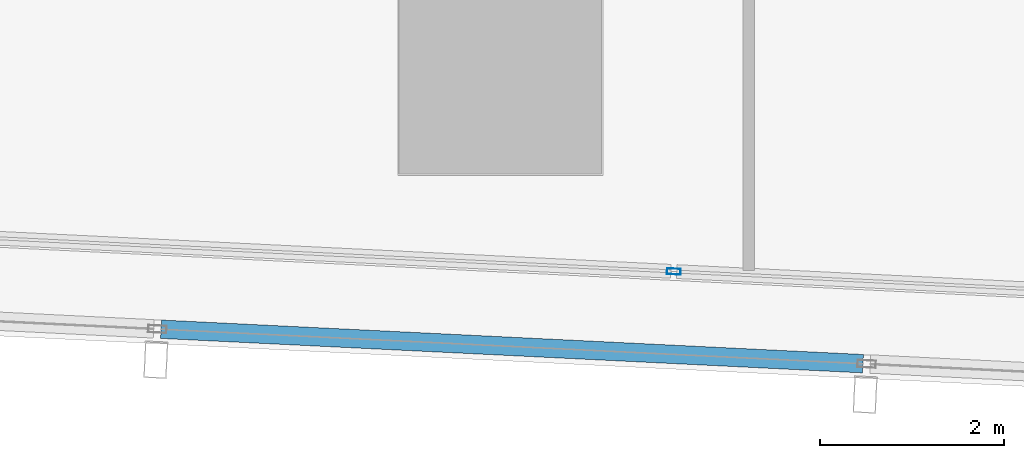
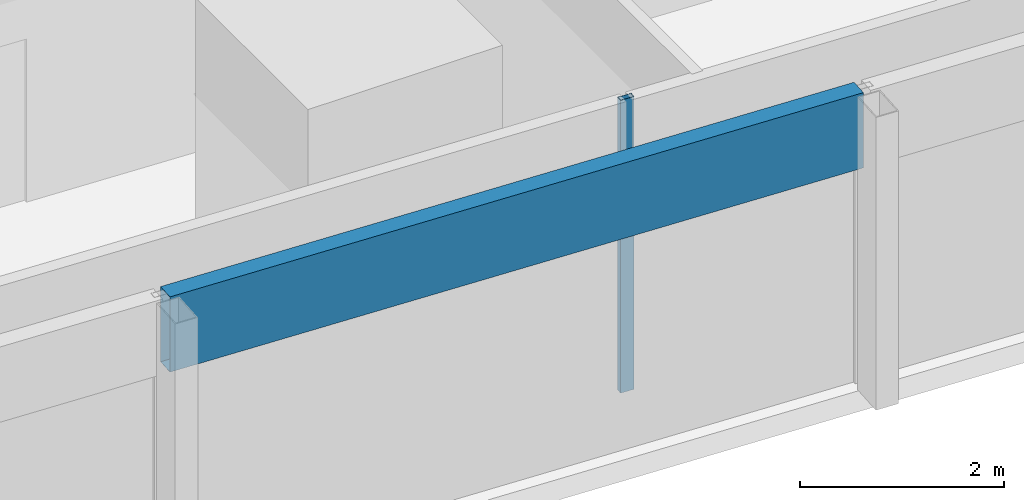
# One storey, part 6 of 44: 2 members, 2 elements without a shape of their own.
"""IFC4 building model written with IfcOpenShell, lengths in metres."""

from ifc_helpers import new_model, si_unit, direction, frame, origin, origin_2d, place, context, subcontext, project, spatial, hollow_rectangle, extrude, material, material_profile, profile_set, type_object, element, aggregate, save


model = new_model("IFC4")

# Units and contexts
model_context = context("Model", 3, precision=1e-05, world=origin(), true_north=direction((0.0, 1.0)))
body_context = subcontext(model_context, "Body", "Model", "MODEL_VIEW")
ifc_project = project(units=[si_unit("LENGTHUNIT", "METRE"), si_unit("AREAUNIT", "SQUARE_METRE"), si_unit("VOLUMEUNIT", "CUBIC_METRE"), si_unit("PLANEANGLEUNIT", "RADIAN"), si_unit("MASSUNIT", "GRAM", prefix="KILO")], contexts=[model_context])

# Site, building, storey
site_placement = place(None, origin())
site = spatial("IfcSite", under=ifc_project, at=site_placement, CompositionType="ELEMENT")
building_placement = place(site_placement, origin())
building = spatial("IfcBuilding", under=site, at=building_placement, Name="Rekha Terrace Tower", CompositionType="ELEMENT")
storey_placement = place(building_placement, frame((0.0, 0.0, 74.14990234375)))
storey = spatial("IfcBuildingStorey", under=building, at=storey_placement, Name="L18", CompositionType="ELEMENT", Elevation=74.14990234375)

# Curtain wall, member
ifc_material_1 = material(Name="Aluminium framing", Category="aluminium")
curtain_wall_type_1 = type_object("IfcCurtainWallType", Name="CW1 double skin inner glazing", PredefinedType="USERDEFINED", material=ifc_material_1)
curtain_wall_1_placement = place(storey_placement, origin())
curtain_wall_1 = element("IfcCurtainWall", 1, at=curtain_wall_1_placement, inside=storey, type_object=curtain_wall_type_1, Name="CW1 double skin inner glazing", ObjectType="DOUBLE SKIN INNER GLAZING", PredefinedType="USERDEFINED")
ifc_material_2 = material(Name="Aluminium mullion section", Category="aluminium")
ifc_material_profile_1 = material_profile(ifc_material_2, hollow_rectangle(XDim=0.06494140625, YDim=0.14990234375, WallThickness=0.00390625, at=origin_2d()), Name="AL RHS 65x150")
ifc_profile_set_1 = profile_set([ifc_material_profile_1], Name="Aluminium mullion section")
member_type_1 = type_object("IfcMemberType", Name="CW1 mullion RHS 65 x 150", PredefinedType="MULLION", material=ifc_profile_set_1)
member_1_placement = place(storey_placement, frame((35.48388671875, 6.24267578125, 0.0), z_axis=(0.0, 0.0, 1.0), x_axis=(0.049051717746, 0.998796239974, 0.0)))
member_1 = element("IfcMember", 2, at=member_1_placement, type_object=member_type_1, Name="CW1 mullion 3", PredefinedType="MULLION", context=body_context, shape_type="SweptSolid", body=[
    extrude(hollow_rectangle(XDim=0.06494140625, YDim=0.14990234375, WallThickness=0.00390625, at=origin_2d()), origin(), (0.0, 0.0, 1.0), 3.5),
])
aggregate(curtain_wall_1, [member_1])

curtain_wall_type_2 = type_object("IfcCurtainWallType", Name="CW2 double skin outer glazing", PredefinedType="USERDEFINED", material=ifc_material_1)
curtain_wall_2_placement = place(storey_placement, origin())
curtain_wall_2 = element("IfcCurtainWall", 3, at=curtain_wall_2_placement, inside=storey, type_object=curtain_wall_type_2, Name="CW2 double skin outer glazing", ObjectType="DOUBLE SKIN OUTER GLAZING", PredefinedType="USERDEFINED")
ifc_material_3 = material(Name="Insulated aluminium spandrel box", Category="aluminium")
ifc_material_profile_2 = material_profile(ifc_material_3, hollow_rectangle(XDim=0.199951171875, YDim=0.89990234375, WallThickness=0.0029296875, at=origin_2d()), Name="AL SPANDREL BOX 200x900")
ifc_profile_set_2 = profile_set([ifc_material_profile_2], Name="Insulated aluminium spandrel box")
member_type_2 = type_object("IfcMemberType", Name="CW2 spandrel transom 200 x 900", PredefinedType="USERDEFINED", material=ifc_profile_set_2)
member_2_placement = place(storey_placement, frame((29.91259765625, 5.615234375, 3.050048828125), z_axis=(0.998796434643, -0.049047753721, 0.0), x_axis=(0.049047753721, 0.998796434643, 0.0)))
member_2 = element("IfcMember", 4, at=member_2_placement, type_object=member_type_2, Name="CW2 spandrel transom 4", ObjectType="TRANSOM", PredefinedType="USERDEFINED", context=body_context, shape_type="SweptSolid", body=[
    extrude(hollow_rectangle(XDim=0.199951171875, YDim=0.89990234375, WallThickness=0.0029296875, at=origin_2d()), origin(), (0.0, 0.0, 1.0), 7.6357421875),
])
aggregate(curtain_wall_2, [member_2])

save(model, "model.ifc")
